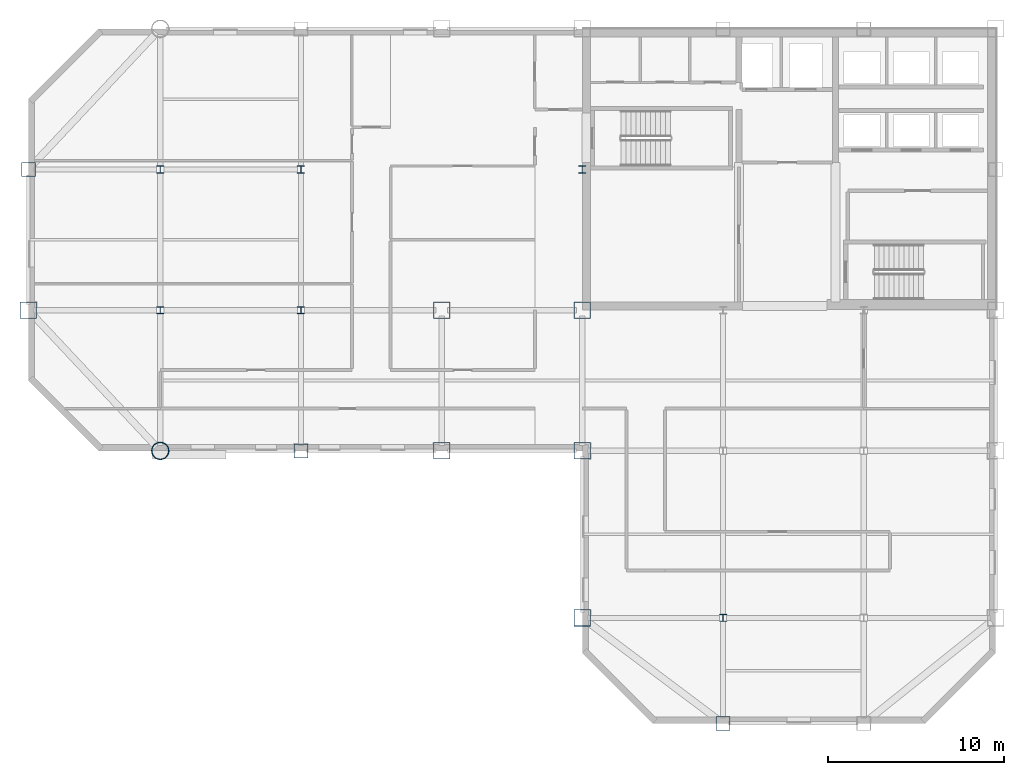
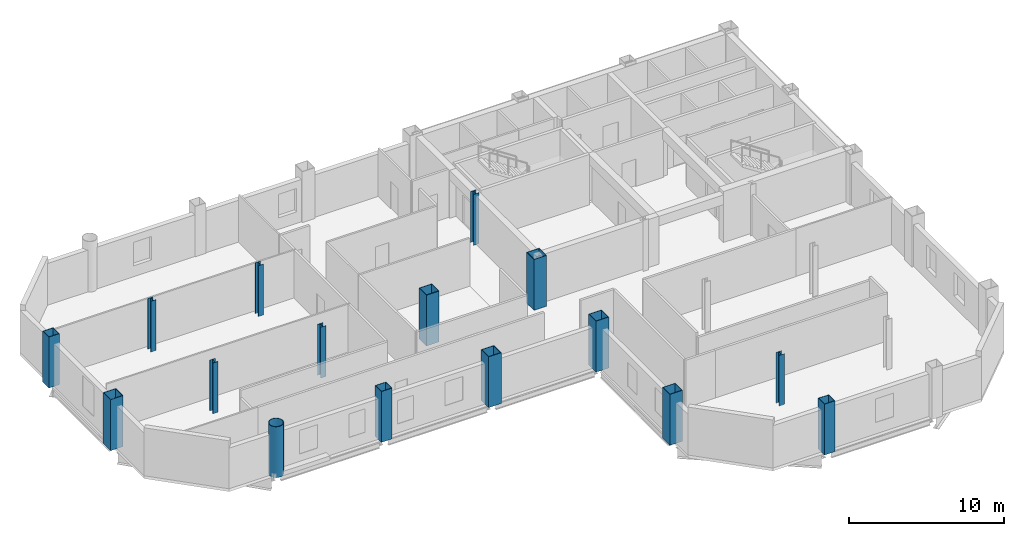
# One storey, part 1 of 10: 16 columns.
"""IFC4 building model written with IfcOpenShell, lengths in metres."""

from ifc_helpers import new_model, si_unit, direction, frame, origin, origin_2d, place, context, subcontext, project, spatial, hollow_rectangle, hollow_circle, i_section, extrude, material, material_profile, profile_set, type_object, element, save


model = new_model("IFC4")

# Units and contexts
model_context = context("Model", 3, precision=1e-05, world=origin(), true_north=direction((0.0, 1.0)))
body_context = subcontext(model_context, "Body", "Model", "MODEL_VIEW")
ifc_project = project(units=[si_unit("LENGTHUNIT", "METRE"), si_unit("AREAUNIT", "SQUARE_METRE"), si_unit("VOLUMEUNIT", "CUBIC_METRE"), si_unit("PLANEANGLEUNIT", "RADIAN"), si_unit("MASSUNIT", "GRAM", prefix="KILO")], contexts=[model_context])

# Site, building, storey
site_placement = place(None, origin())
site = spatial("IfcSite", under=ifc_project, at=site_placement, CompositionType="ELEMENT")
building_placement = place(site_placement, origin())
building = spatial("IfcBuilding", under=site, at=building_placement, Name="Qianrong Seaharbour Tower", CompositionType="ELEMENT")
storey_placement = place(building_placement, frame((0.0, 0.0, 253.800048828125)))
storey = spatial("IfcBuildingStorey", under=building, at=storey_placement, Name="L61", CompositionType="ELEMENT", Elevation=253.800048828125)

# Columns
ifc_material = material(Name="Structural steel SN490B", Category="steel")
ifc_material_profile_1 = material_profile(ifc_material, hollow_rectangle(XDim=0.949951171875, YDim=0.949951171875, WallThickness=0.035888671875, at=origin_2d()), Name="BOX950x950x36")
ifc_profile_set_1 = profile_set([ifc_material_profile_1], Name="Structural steel SN490B")
column_type_1 = type_object("IfcColumnType", Name="COL-CFT-950", PredefinedType="COLUMN", material=ifc_profile_set_1)
for number, where, z_axis, x_axis, name in (
    (1, (9.0, 36.0, 0.0), (0.0, 0.0, 1.0), (1.0, 0.0, 0.0), "L61 Column MC-4 at G2/GF"),
    (2, (32.5, 28.0, 0.0), (0.0, 0.0, 1.0), (1.0, 0.0, 0.0), "L61 Column MC-4 at G5/GE"),
    (3, (32.5, 36.0, 0.0), (0.0, 0.0, 1.0), (1.0, 0.0, 0.0), "L61 Column MC-4 at G5/GF"),
    (4, (40.5, 18.5, 0.0), (0.0, 0.0, 1.0), (1.0, 0.0, 0.0), "L61 Column MC-4 at G6/GD"),
    (5, (40.5, 28.0, 0.0), (0.0, 0.0, 1.0), (1.0, 0.0, 0.0), "L61 Column MC-4 at G6/GE"),
    (6, (40.5, 36.0, 0.0), (0.0, 0.0, 1.0), (1.0, 0.0, 0.0), "L61 Column MC-4 at G6/GF"),
):
    element("IfcColumn", number, at=place(storey_placement, frame(where, z_axis=z_axis, x_axis=x_axis)), inside=storey, type_object=column_type_1, Name=name, PredefinedType="COLUMN", context=body_context, shape_type="SweptSolid", body=[
        extrude(hollow_rectangle(XDim=0.949951171875, YDim=0.949951171875, WallThickness=0.035888671875, at=origin_2d()), origin(), (0.0, 0.0, 1.0), 4.0),
    ])
ifc_material_profile_2 = material_profile(ifc_material, hollow_circle(Radius=0.5, WallThickness=0.035888671875, at=origin_2d()), Name="CHS1000x36")
ifc_profile_set_2 = profile_set([ifc_material_profile_2], Name="Structural steel SN490B")
column_type_2 = type_object("IfcColumnType", Name="COL-CHS-1000", PredefinedType="COLUMN", material=ifc_profile_set_2)
column_placement = place(storey_placement, frame((16.5, 28.0, 0.0), z_axis=(0.0, 0.0, 1.0), x_axis=(1.0, 0.0, 0.0)))
element("IfcColumn", 7, at=column_placement, inside=storey, type_object=column_type_2, Name="L61 Column CC-2 at G3/GE", PredefinedType="COLUMN", context=body_context, shape_type="SweptSolid", body=[
    extrude(hollow_circle(Radius=0.5, WallThickness=0.035888671875, at=origin_2d()), origin(), (0.0, 0.0, 1.0), 4.0),
])
ifc_material_profile_3 = material_profile(ifc_material, i_section(OverallWidth=0.39990234375, OverallDepth=0.39990234375, WebThickness=0.012939453125, FlangeThickness=0.02099609375, FilletRadius=0.02197265625, at=origin_2d()), Name="H400x400x13x21")
ifc_profile_set_3 = profile_set([ifc_material_profile_3], Name="Structural steel SN490B")
column_type_3 = type_object("IfcColumnType", Name="COL-INT-H400", PredefinedType="COLUMN", material=ifc_profile_set_3)
for number, where, z_axis, x_axis, name in (
    (8, (16.5, 36.0, 0.0), (0.0, 0.0, 1.0), (1.0, 0.0, 0.0), "L61 Column IC-3 at G3/GF"),
    (9, (16.5, 44.0, 0.0), (0.0, 0.0, 1.0), (1.0, 0.0, 0.0), "L61 Column IC-3 at G3/GG"),
    (10, (24.5, 36.0, 0.0), (0.0, 0.0, 1.0), (1.0, 0.0, 0.0), "L61 Column IC-3 at G4/GF"),
    (11, (24.5, 44.0, 0.0), (0.0, 0.0, 1.0), (1.0, 0.0, 0.0), "L61 Column IC-3 at G4/GG"),
    (12, (40.5, 44.0, 0.0), (0.0, 0.0, 1.0), (1.0, 0.0, 0.0), "L61 Column IC-3 at G6/GG"),
    (13, (48.5, 18.5, 0.0), (0.0, 0.0, 1.0), (1.0, 0.0, 0.0), "L61 Column IC-3 at G7/GD"),
):
    element("IfcColumn", number, at=place(storey_placement, frame(where, z_axis=z_axis, x_axis=x_axis)), inside=storey, type_object=column_type_3, Name=name, PredefinedType="COLUMN", context=body_context, shape_type="SweptSolid", body=[
        extrude(i_section(OverallWidth=0.39990234375, OverallDepth=0.39990234375, WebThickness=0.012939453125, FlangeThickness=0.02099609375, FilletRadius=0.02197265625, at=origin_2d()), origin(), (0.0, 0.0, 1.0), 4.0),
    ])
ifc_material_profile_4 = material_profile(ifc_material, hollow_rectangle(XDim=0.800048828125, YDim=0.800048828125, WallThickness=0.031982421875, at=origin_2d()), Name="BOX800x800x32")
ifc_profile_set_4 = profile_set([ifc_material_profile_4], Name="Structural steel SN490B")
column_type_4 = type_object("IfcColumnType", Name="COL-PER-800", PredefinedType="COLUMN", material=ifc_profile_set_4)
for number, where, z_axis, x_axis, name in (
    (14, (9.0, 44.0, 0.0), (0.0, 0.0, 1.0), (1.0, 0.0, 0.0), "L61 Column PC-3 at G2/GG"),
    (15, (24.5, 28.0, 0.0), (0.0, 0.0, 1.0), (1.0, 0.0, 0.0), "L61 Column PC-3 at G4/GE"),
    (16, (48.5, 12.5, 0.0), (0.0, 0.0, 1.0), (1.0, 0.0, 0.0), "L61 Column PC-3 at G7/GC"),
):
    element("IfcColumn", number, at=place(storey_placement, frame(where, z_axis=z_axis, x_axis=x_axis)), inside=storey, type_object=column_type_4, Name=name, PredefinedType="COLUMN", context=body_context, shape_type="SweptSolid", body=[
        extrude(hollow_rectangle(XDim=0.800048828125, YDim=0.800048828125, WallThickness=0.031982421875, at=origin_2d()), origin(), (0.0, 0.0, 1.0), 4.0),
    ])

save(model, "model.ifc")
